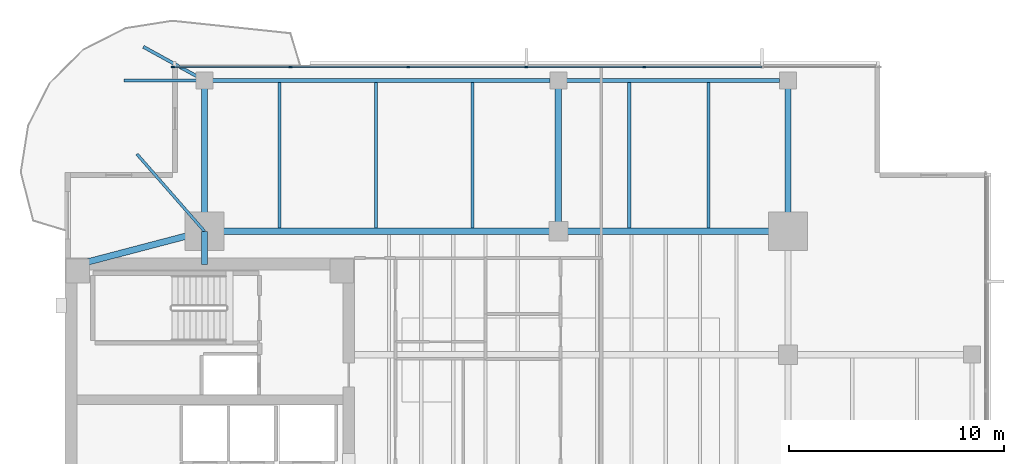
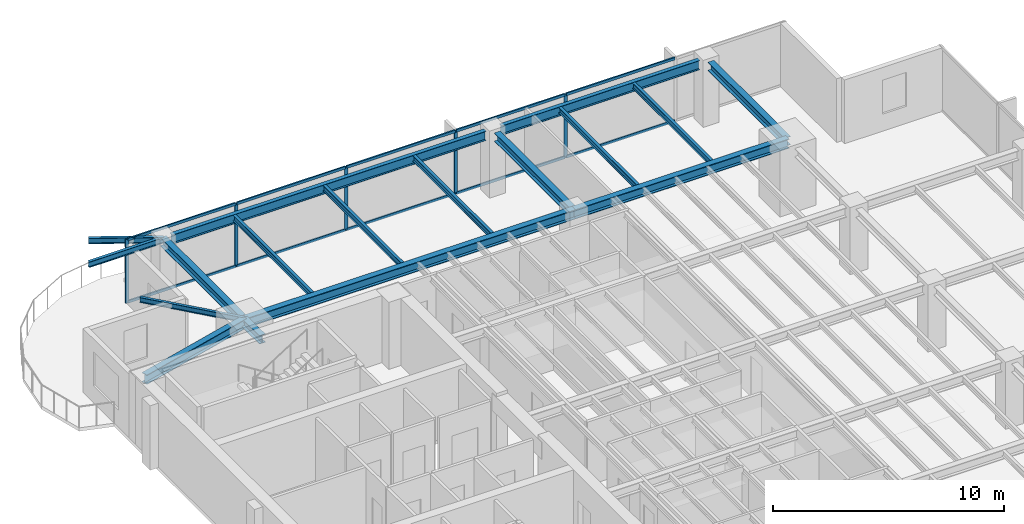
# One storey, part 5 of 14: 17 beams, 15 members, 1 element without a shape of its own.
"""IFC4 building model written with IfcOpenShell, lengths in metres."""

from ifc_helpers import new_model, si_unit, direction, frame, origin, origin_2d, place, context, subcontext, project, spatial, rectangle, i_section, extrude, material, layer, layer_set, material_profile, profile_set, type_object, element, aggregate, save


model = new_model("IFC4")

# Units and contexts
model_context = context("Model", 3, precision=1e-05, world=origin(), true_north=direction((0.0, 1.0)))
body_context = subcontext(model_context, "Body", "Model", "MODEL_VIEW")
ifc_project = project(units=[si_unit("LENGTHUNIT", "METRE"), si_unit("AREAUNIT", "SQUARE_METRE"), si_unit("VOLUMEUNIT", "CUBIC_METRE"), si_unit("PLANEANGLEUNIT", "RADIAN"), si_unit("MASSUNIT", "GRAM", prefix="KILO")], contexts=[model_context])

# Site, building, storey
site_placement = place(None, origin())
site = spatial("IfcSite", under=ifc_project, at=site_placement, CompositionType="ELEMENT")
building_placement = place(site_placement, origin())
building = spatial("IfcBuilding", under=site, at=building_placement, Name="Kinhvarn Gate Tower", CompositionType="ELEMENT")
storey_placement = place(building_placement, frame((0.0, 0.0, 198.699951171875)))
storey = spatial("IfcBuildingStorey", under=building, at=storey_placement, Name="L52", CompositionType="ELEMENT", Elevation=198.699951171875)

# Curtain wall, members
ifc_material_1 = material(Name="Anodised aluminium AW-6063", Category="aluminium")
ifc_layer = layer(ifc_material_1, 0.179931640625)
ifc_layer_set = layer_set([ifc_layer], Name="Anodised aluminium AW-6063")
curtain_wall_type = type_object("IfcCurtainWallType", Name="CW-SYS-3", PredefinedType="NOTDEFINED", material=ifc_layer_set)
curtain_wall_placement = place(storey_placement, origin())
curtain_wall = element("IfcCurtainWall", 1, at=curtain_wall_placement, inside=storey, type_object=curtain_wall_type, Name="Curtain Wall CW3 (L52)", PredefinedType="NOTDEFINED")
ifc_material_profile_1 = material_profile(ifc_material_1, rectangle(XDim=0.06494140625, YDim=0.159912109375, at=origin_2d()), Name="ALU 65x160")
ifc_profile_set_1 = profile_set([ifc_material_profile_1], Name="Anodised aluminium AW-6063")
member_type_1 = type_object("IfcMemberType", Name="CW-MUL-160", PredefinedType="MULLION", material=ifc_profile_set_1)
member_1_placement = place(storey_placement, frame((31.5, 45.409912109375, 0.0), z_axis=(0.0, 0.0, 1.0), x_axis=(0.0, -1.0, 0.0)))
member_1 = element("IfcMember", 2, at=member_1_placement, type_object=member_type_1, Name="CW3 mullion 3", PredefinedType="MULLION", context=body_context, shape_type="SweptSolid", body=[
    extrude(rectangle(XDim=0.06494140625, YDim=0.159912109375, at=origin_2d()), origin(), (0.0, 0.0, 1.0), 3.3701171875),
])
member_2_placement = place(storey_placement, frame((26.0, 45.409912109375, 0.0), z_axis=(0.0, 0.0, 1.0), x_axis=(0.0, -1.0, 0.0)))
member_2 = element("IfcMember", 3, at=member_2_placement, type_object=member_type_1, Name="CW3 mullion 4", PredefinedType="MULLION", context=body_context, shape_type="SweptSolid", body=[
    extrude(rectangle(XDim=0.06494140625, YDim=0.159912109375, at=origin_2d()), origin(), (0.0, 0.0, 1.0), 3.3701171875),
])
member_3_placement = place(storey_placement, frame((20.5, 45.409912109375, 0.0), z_axis=(0.0, 0.0, 1.0), x_axis=(0.0, -1.0, 0.0)))
member_3 = element("IfcMember", 4, at=member_3_placement, type_object=member_type_1, Name="CW3 mullion 5", PredefinedType="MULLION", context=body_context, shape_type="SweptSolid", body=[
    extrude(rectangle(XDim=0.06494140625, YDim=0.159912109375, at=origin_2d()), origin(), (0.0, 0.0, 1.0), 3.3701171875),
])
member_4_placement = place(storey_placement, frame((15.0, 45.409912109375, 0.0), z_axis=(0.0, 0.0, 1.0), x_axis=(0.0, -1.0, 0.0)))
member_4 = element("IfcMember", 5, at=member_4_placement, type_object=member_type_1, Name="CW3 mullion 6", PredefinedType="MULLION", context=body_context, shape_type="SweptSolid", body=[
    extrude(rectangle(XDim=0.06494140625, YDim=0.159912109375, at=origin_2d()), origin(), (0.0, 0.0, 1.0), 3.3701171875),
])
member_5_placement = place(storey_placement, frame((9.532470703125, 45.409912109375, 0.0), z_axis=(0.0, 0.0, 1.0), x_axis=(0.0, -1.0, 0.0)))
member_5 = element("IfcMember", 6, at=member_5_placement, type_object=member_type_1, Name="CW3 mullion 7", PredefinedType="MULLION", context=body_context, shape_type="SweptSolid", body=[
    extrude(rectangle(XDim=0.06494140625, YDim=0.159912109375, at=origin_2d()), origin(), (0.0, 0.0, 1.0), 3.3701171875),
])
ifc_material_profile_2 = material_profile(ifc_material_1, rectangle(XDim=0.070068359375, YDim=0.139892578125, at=origin_2d()), Name="ALU 70x140")
ifc_profile_set_2 = profile_set([ifc_material_profile_2], Name="Anodised aluminium AW-6063")
member_type_2 = type_object("IfcMemberType", Name="CW-TRN-140", PredefinedType="USERDEFINED", material=ifc_profile_set_2)
member_6_placement = place(storey_placement, frame((36.967529296875, 45.409912109375, 0.03515625), z_axis=(-1.0, 0.0, 0.0), x_axis=(0.0, -1.0, 0.0)))
member_6 = element("IfcMember", 7, at=member_6_placement, type_object=member_type_2, Name="CW3 transom 2.1", ObjectType="TRANSOM", PredefinedType="USERDEFINED", context=body_context, shape_type="SweptSolid", body=[
    extrude(rectangle(XDim=0.070068359375, YDim=0.139892578125, at=origin_2d()), origin(), (0.0, 0.0, 1.0), 5.43505859375),
])
member_7_placement = place(storey_placement, frame((36.967529296875, 45.409912109375, 3.3349609375), z_axis=(-1.0, 0.0, 0.0), x_axis=(0.0, -1.0, 0.0)))
member_7 = element("IfcMember", 8, at=member_7_placement, type_object=member_type_2, Name="CW3 transom 2.2", ObjectType="TRANSOM", PredefinedType="USERDEFINED", context=body_context, shape_type="SweptSolid", body=[
    extrude(rectangle(XDim=0.070068359375, YDim=0.139892578125, at=origin_2d()), origin(), (0.0, 0.0, 1.0), 5.43505859375),
])
member_8_placement = place(storey_placement, frame((31.467529296875, 45.409912109375, 0.03515625), z_axis=(-1.0, 0.0, 0.0), x_axis=(0.0, -1.0, 0.0)))
member_8 = element("IfcMember", 9, at=member_8_placement, type_object=member_type_2, Name="CW3 transom 3.1", ObjectType="TRANSOM", PredefinedType="USERDEFINED", context=body_context, shape_type="SweptSolid", body=[
    extrude(rectangle(XDim=0.070068359375, YDim=0.139892578125, at=origin_2d()), origin(), (0.0, 0.0, 1.0), 5.43505859375),
])
member_9_placement = place(storey_placement, frame((31.467529296875, 45.409912109375, 3.3349609375), z_axis=(-1.0, 0.0, 0.0), x_axis=(0.0, -1.0, 0.0)))
member_9 = element("IfcMember", 10, at=member_9_placement, type_object=member_type_2, Name="CW3 transom 3.2", ObjectType="TRANSOM", PredefinedType="USERDEFINED", context=body_context, shape_type="SweptSolid", body=[
    extrude(rectangle(XDim=0.070068359375, YDim=0.139892578125, at=origin_2d()), origin(), (0.0, 0.0, 1.0), 5.43505859375),
])
member_10_placement = place(storey_placement, frame((25.967529296875, 45.409912109375, 0.03515625), z_axis=(-1.0, 0.0, 0.0), x_axis=(0.0, -1.0, 0.0)))
member_10 = element("IfcMember", 11, at=member_10_placement, type_object=member_type_2, Name="CW3 transom 4.1", ObjectType="TRANSOM", PredefinedType="USERDEFINED", context=body_context, shape_type="SweptSolid", body=[
    extrude(rectangle(XDim=0.070068359375, YDim=0.139892578125, at=origin_2d()), origin(), (0.0, 0.0, 1.0), 5.43505859375),
])
member_11_placement = place(storey_placement, frame((25.967529296875, 45.409912109375, 3.3349609375), z_axis=(-1.0, 0.0, 0.0), x_axis=(0.0, -1.0, 0.0)))
member_11 = element("IfcMember", 12, at=member_11_placement, type_object=member_type_2, Name="CW3 transom 4.2", ObjectType="TRANSOM", PredefinedType="USERDEFINED", context=body_context, shape_type="SweptSolid", body=[
    extrude(rectangle(XDim=0.070068359375, YDim=0.139892578125, at=origin_2d()), origin(), (0.0, 0.0, 1.0), 5.43505859375),
])
member_12_placement = place(storey_placement, frame((20.467529296875, 45.409912109375, 0.03515625), z_axis=(-1.0, 0.0, 0.0), x_axis=(0.0, -1.0, 0.0)))
member_12 = element("IfcMember", 13, at=member_12_placement, type_object=member_type_2, Name="CW3 transom 5.1", ObjectType="TRANSOM", PredefinedType="USERDEFINED", context=body_context, shape_type="SweptSolid", body=[
    extrude(rectangle(XDim=0.070068359375, YDim=0.139892578125, at=origin_2d()), origin(), (0.0, 0.0, 1.0), 5.43505859375),
])
member_13_placement = place(storey_placement, frame((20.467529296875, 45.409912109375, 3.3349609375), z_axis=(-1.0, 0.0, 0.0), x_axis=(0.0, -1.0, 0.0)))
member_13 = element("IfcMember", 14, at=member_13_placement, type_object=member_type_2, Name="CW3 transom 5.2", ObjectType="TRANSOM", PredefinedType="USERDEFINED", context=body_context, shape_type="SweptSolid", body=[
    extrude(rectangle(XDim=0.070068359375, YDim=0.139892578125, at=origin_2d()), origin(), (0.0, 0.0, 1.0), 5.43505859375),
])
member_14_placement = place(storey_placement, frame((14.967529296875, 45.409912109375, 0.03515625), z_axis=(-1.0, 0.0, 0.0), x_axis=(0.0, -1.0, 0.0)))
member_14 = element("IfcMember", 15, at=member_14_placement, type_object=member_type_2, Name="CW3 transom 6.1", ObjectType="TRANSOM", PredefinedType="USERDEFINED", context=body_context, shape_type="SweptSolid", body=[
    extrude(rectangle(XDim=0.070068359375, YDim=0.139892578125, at=origin_2d()), origin(), (0.0, 0.0, 1.0), 5.402587890625),
])
member_15_placement = place(storey_placement, frame((14.967529296875, 45.409912109375, 3.3349609375), z_axis=(-1.0, 0.0, 0.0), x_axis=(0.0, -1.0, 0.0)))
member_15 = element("IfcMember", 16, at=member_15_placement, type_object=member_type_2, Name="CW3 transom 6.2", ObjectType="TRANSOM", PredefinedType="USERDEFINED", context=body_context, shape_type="SweptSolid", body=[
    extrude(rectangle(XDim=0.070068359375, YDim=0.139892578125, at=origin_2d()), origin(), (0.0, 0.0, 1.0), 5.402587890625),
])
aggregate(curtain_wall, [member_1, member_2, member_3, member_4, member_5, member_6, member_7, member_8, member_9, member_10, member_11, member_12, member_13, member_14, member_15])

# Beams
ifc_material_2 = material(Name="Steel S355", Category="steel")
ifc_material_profile_3 = material_profile(ifc_material_2, i_section(OverallWidth=0.300048828125, OverallDepth=0.449951171875, WebThickness=0.013916015625, FlangeThickness=0.02587890625, at=origin_2d()), Name="HEB 450")
ifc_profile_set_3 = profile_set([ifc_material_profile_3], Name="Steel S355")
beam_type_1 = type_object("IfcBeamType", Name="STL-HEB450", PredefinedType="BEAM", material=ifc_profile_set_3)
beam_1_placement = place(storey_placement, frame((11.0, 36.199951171875, 3.14501953125), z_axis=(0.0, 1.0, 0.0), x_axis=(-1.0, 0.0, 0.0)))
element("IfcBeam", 17, at=beam_1_placement, inside=storey, type_object=beam_type_1, Name="Floor Beam PG-13 (L52 MCW-CN)", PredefinedType="BEAM", context=body_context, shape_type="SweptSolid", body=[
    extrude(i_section(OverallWidth=0.300048828125, OverallDepth=0.449951171875, WebThickness=0.013916015625, FlangeThickness=0.02587890625, at=origin_2d()), origin(), (0.0, 0.0, 1.0), 1.550048828125),
])
beam_2_placement = place(storey_placement, frame((11.0, 37.75, 3.14501953125), z_axis=(0.0, 1.0, 0.0), x_axis=(-1.0, 0.0, 0.0)))
element("IfcBeam", 18, at=beam_2_placement, inside=storey, type_object=beam_type_1, Name="Floor Beam PG-13 (L52 MCW-N)", PredefinedType="BEAM", context=body_context, shape_type="SweptSolid", body=[
    extrude(i_section(OverallWidth=0.300048828125, OverallDepth=0.449951171875, WebThickness=0.013916015625, FlangeThickness=0.02587890625, at=origin_2d()), origin(), (0.0, 0.0, 1.0), 7.030029296875),
])
for number, where, z_axis, x_axis, name in (
    (19, (27.5, 37.75, 3.14501953125), (0.0, 1.0, 0.0), (-1.0, 0.0, 0.0), "Floor Beam PG-13 (L52 SP27-N-TIE)"),
    (20, (38.199951171875, 37.75, 3.14501953125), (0.0, 1.0, 0.0), (-1.0, 0.0, 0.0), "Floor Beam PG-13 (L52 MCE-N)"),
):
    element("IfcBeam", number, at=place(storey_placement, frame(where, z_axis=z_axis, x_axis=x_axis)), inside=storey, type_object=beam_type_1, Name=name, PredefinedType="BEAM", context=body_context, shape_type="SweptSolid", body=[
        extrude(i_section(OverallWidth=0.300048828125, OverallDepth=0.449951171875, WebThickness=0.013916015625, FlangeThickness=0.02587890625, at=origin_2d()), origin(), (0.0, 0.0, 1.0), 6.64501953125),
    ])
ifc_material_profile_4 = material_profile(ifc_material_2, i_section(OverallWidth=0.300048828125, OverallDepth=0.5, WebThickness=0.014404296875, FlangeThickness=0.028076171875, at=origin_2d()), Name="HEB 500")
ifc_profile_set_4 = profile_set([ifc_material_profile_4], Name="Steel S355")
beam_type_2 = type_object("IfcBeamType", Name="STL-HEB500", PredefinedType="BEAM", material=ifc_profile_set_4)
beam_3_placement = place(storey_placement, frame((11.0, 37.75, 3.1201171875), z_axis=(1.0, 0.0, 0.0), x_axis=(0.0, 1.0, 0.0)))
element("IfcBeam", 21, at=beam_3_placement, inside=storey, type_object=beam_type_2, Name="Floor Beam PG-14 (L52 MG-N1)", PredefinedType="BEAM", context=body_context, shape_type="SweptSolid", body=[
    extrude(i_section(OverallWidth=0.300048828125, OverallDepth=0.5, WebThickness=0.014404296875, FlangeThickness=0.028076171875, at=origin_2d()), origin(), (0.0, 0.0, 1.0), 16.5),
])
beam_4_placement = place(storey_placement, frame((27.5, 37.75, 3.1201171875), z_axis=(1.0, 0.0, 0.0), x_axis=(0.0, 1.0, 0.0)))
element("IfcBeam", 22, at=beam_4_placement, inside=storey, type_object=beam_type_2, Name="Floor Beam PG-14 (L52 MG-N2)", PredefinedType="BEAM", context=body_context, shape_type="SweptSolid", body=[
    extrude(i_section(OverallWidth=0.300048828125, OverallDepth=0.5, WebThickness=0.014404296875, FlangeThickness=0.028076171875, at=origin_2d()), origin(), (0.0, 0.0, 1.0), 10.699951171875),
])
beam_5_placement = place(storey_placement, frame((5.10009765625, 36.199951171875, 3.1201171875), z_axis=(0.967177623957, 0.254101246979, 0.0), x_axis=(-0.254101246979, 0.967177623957, 0.0)))
element("IfcBeam", 23, at=beam_5_placement, inside=storey, type_object=beam_type_2, Name="Floor Beam PG-14 (L52 MG-NW-DIAG)", PredefinedType="BEAM", context=body_context, shape_type="SweptSolid", body=[
    extrude(i_section(OverallWidth=0.300048828125, OverallDepth=0.5, WebThickness=0.014404296875, FlangeThickness=0.028076171875, at=origin_2d()), origin(), (0.0, 0.0, 1.0), 6.10009765625),
])
ifc_material_profile_5 = material_profile(ifc_material_2, i_section(OverallWidth=0.135009765625, OverallDepth=0.27001953125, WebThickness=0.006591796875, FlangeThickness=0.01025390625, at=origin_2d()), Name="IPE 270")
ifc_profile_set_5 = profile_set([ifc_material_profile_5], Name="Steel S355")
beam_type_3 = type_object("IfcBeamType", Name="STL-IPE270", PredefinedType="JOIST", material=ifc_profile_set_5)
beam_6_placement = place(storey_placement, frame((11.0, 37.75, 3.235107421875), z_axis=(-0.658482928045, 0.752595664001, 0.0), x_axis=(-0.752595664001, -0.658482928045, 0.0)))
element("IfcBeam", 24, at=beam_6_placement, inside=storey, type_object=beam_type_3, Name="Floor Joist SB-01 (L52 BAL-B3-L53)", PredefinedType="JOIST", context=body_context, shape_type="SweptSolid", body=[
    extrude(i_section(OverallWidth=0.135009765625, OverallDepth=0.27001953125, WebThickness=0.006591796875, FlangeThickness=0.01025390625, at=origin_2d()), origin(), (0.0, 0.0, 1.0), 4.78369140625),
])
ifc_material_profile_6 = material_profile(ifc_material_2, i_section(OverallWidth=0.14990234375, OverallDepth=0.300048828125, WebThickness=0.007080078125, FlangeThickness=0.0107421875, at=origin_2d()), Name="IPE 300")
ifc_profile_set_6 = profile_set([ifc_material_profile_6], Name="Steel S355")
beam_type_4 = type_object("IfcBeamType", Name="STL-IPE300", PredefinedType="JOIST", material=ifc_profile_set_6)
for number, where, z_axis, x_axis, name in (
    (25, (14.5, 37.89990234375, 3.219970703125), (0.0, 1.0, 0.0), (-1.0, 0.0, 0.0), "Floor Joist SB-02 (L52 JN-X145)"),
    (26, (19.0, 37.89990234375, 3.219970703125), (0.0, 1.0, 0.0), (-1.0, 0.0, 0.0), "Floor Joist SB-02 (L52 JN-X190)"),
    (27, (23.5, 37.89990234375, 3.219970703125), (0.0, 1.0, 0.0), (-1.0, 0.0, 0.0), "Floor Joist SB-02 (L52 JN-X235)"),
    (28, (30.800048828125, 37.89990234375, 3.219970703125), (0.0, 1.0, 0.0), (-1.0, 0.0, 0.0), "Floor Joist SB-02 (L52 JN-X308)"),
    (29, (34.5, 37.89990234375, 3.219970703125), (0.0, 1.0, 0.0), (-1.0, 0.0, 0.0), "Floor Joist SB-02 (L52 JN-X345)"),
):
    element("IfcBeam", number, at=place(storey_placement, frame(where, z_axis=z_axis, x_axis=x_axis)), inside=storey, type_object=beam_type_4, Name=name, PredefinedType="JOIST", context=body_context, shape_type="SweptSolid", body=[
        extrude(i_section(OverallWidth=0.14990234375, OverallDepth=0.300048828125, WebThickness=0.007080078125, FlangeThickness=0.0107421875, at=origin_2d()), origin(), (0.0, 0.0, 1.0), 6.780029296875),
    ])
beam_7_placement = place(storey_placement, frame((11.0, 44.780029296875, 3.219970703125), z_axis=(-1.0, 0.0, 0.0), x_axis=(0.0, -1.0, 0.0)))
element("IfcBeam", 30, at=beam_7_placement, inside=storey, type_object=beam_type_4, Name="Floor Joist SB-02 (L52 BAL-B1-L53)", PredefinedType="JOIST", context=body_context, shape_type="SweptSolid", body=[
    extrude(i_section(OverallWidth=0.14990234375, OverallDepth=0.300048828125, WebThickness=0.007080078125, FlangeThickness=0.0107421875, at=origin_2d()), origin(), (0.0, 0.0, 1.0), 3.75),
])
beam_8_placement = place(storey_placement, frame((11.0, 44.780029296875, 3.219970703125), z_axis=(-0.875889381738, 0.482511959394, 0.0), x_axis=(-0.482511959394, -0.875889381738, 0.0)))
element("IfcBeam", 31, at=beam_8_placement, inside=storey, type_object=beam_type_4, Name="Floor Joist SB-02 (L52 BAL-B2-L53)", PredefinedType="JOIST", context=body_context, shape_type="SweptSolid", body=[
    extrude(i_section(OverallWidth=0.14990234375, OverallDepth=0.300048828125, WebThickness=0.007080078125, FlangeThickness=0.0107421875, at=origin_2d()), origin(), (0.0, 0.0, 1.0), 3.25390625),
])
ifc_material_profile_7 = material_profile(ifc_material_2, i_section(OverallWidth=0.199951171875, OverallDepth=0.5, WebThickness=0.01025390625, FlangeThickness=0.01611328125, at=origin_2d()), Name="IPE 500")
ifc_profile_set_7 = profile_set([ifc_material_profile_7], Name="Steel S355")
beam_type_5 = type_object("IfcBeamType", Name="STL-IPE500", PredefinedType="SPANDREL", material=ifc_profile_set_7)
beam_9_placement = place(storey_placement, frame((11.385009765625, 44.780029296875, 3.1201171875), z_axis=(1.0, 0.0, 0.0), x_axis=(0.0, 1.0, 0.0)))
element("IfcBeam", 32, at=beam_9_placement, inside=storey, type_object=beam_type_5, Name="Floor Spandrel SB-07 (L52 SP-N1)", PredefinedType="SPANDREL", context=body_context, shape_type="SweptSolid", body=[
    extrude(i_section(OverallWidth=0.199951171875, OverallDepth=0.5, WebThickness=0.01025390625, FlangeThickness=0.01611328125, at=origin_2d()), origin(), (0.0, 0.0, 1.0), 15.72998046875),
])
beam_10_placement = place(storey_placement, frame((27.885009765625, 44.780029296875, 3.1201171875), z_axis=(1.0, 0.0, 0.0), x_axis=(0.0, 1.0, 0.0)))
element("IfcBeam", 33, at=beam_10_placement, inside=storey, type_object=beam_type_5, Name="Floor Spandrel SB-07 (L52 SP-N2)", PredefinedType="SPANDREL", context=body_context, shape_type="SweptSolid", body=[
    extrude(i_section(OverallWidth=0.199951171875, OverallDepth=0.5, WebThickness=0.01025390625, FlangeThickness=0.01611328125, at=origin_2d()), origin(), (0.0, 0.0, 1.0), 9.929931640625),
])

save(model, "model.ifc")
